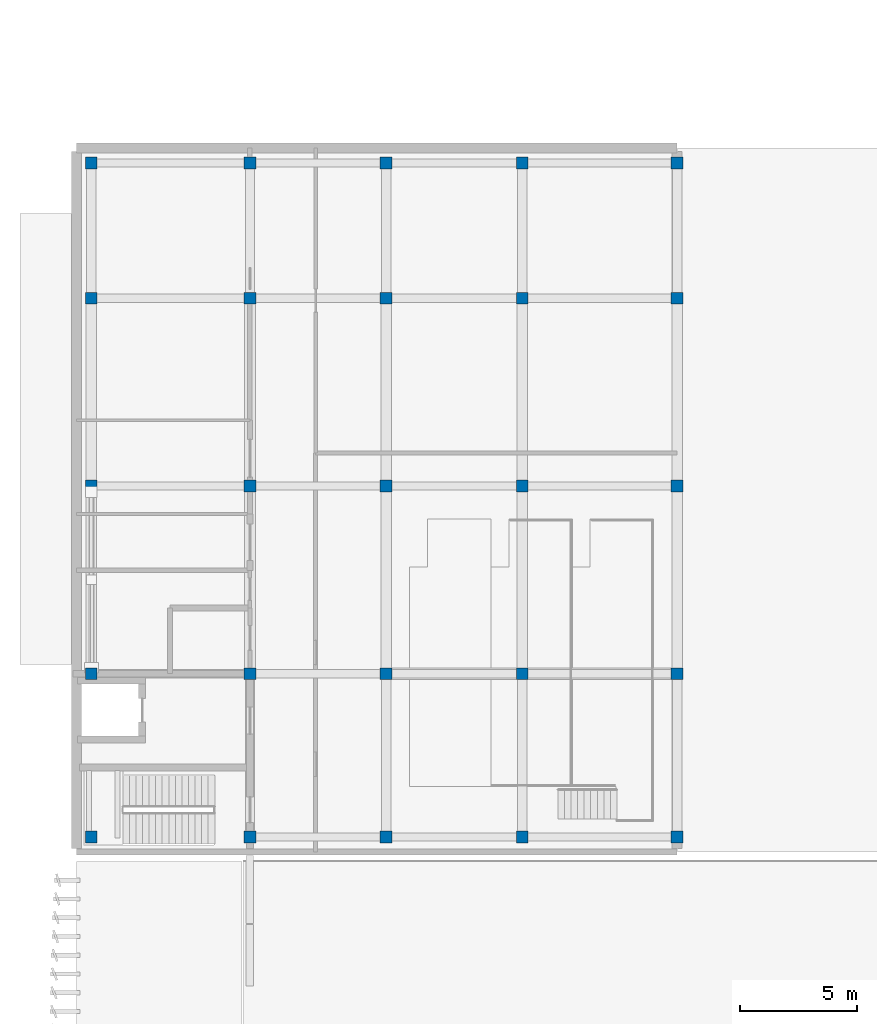
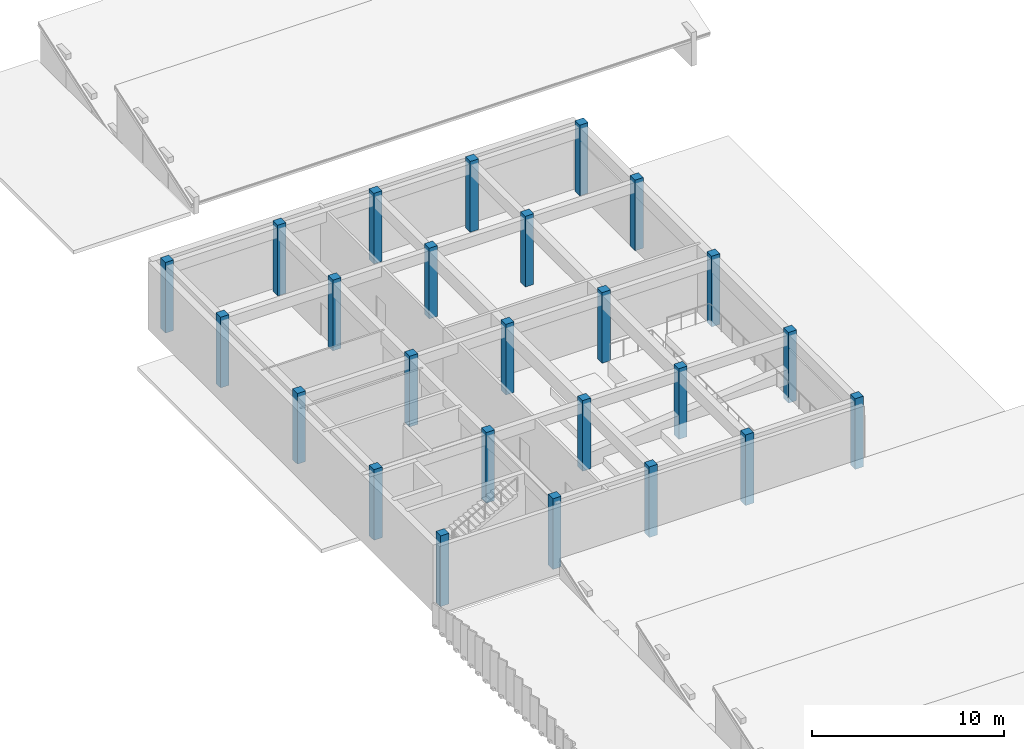
# One storey, part 1 of 45: 25 columns.
"""IFC4 building model written with IfcOpenShell, lengths in metres."""

from ifc_helpers import new_model, si_unit, direction, frame, origin, origin_2d, place, context, subcontext, project, spatial, rectangle, extrude, material, material_profile, profile_set, type_object, element, save


model = new_model("IFC4")

# Units and contexts
model_context = context("Model", 3, precision=1e-05, world=origin(), true_north=direction((0.0, 1.0)))
body_context = subcontext(model_context, "Body", "Model", "MODEL_VIEW")
ifc_project = project(units=[si_unit("LENGTHUNIT", "METRE"), si_unit("AREAUNIT", "SQUARE_METRE"), si_unit("VOLUMEUNIT", "CUBIC_METRE"), si_unit("PLANEANGLEUNIT", "RADIAN"), si_unit("MASSUNIT", "GRAM", prefix="KILO")], contexts=[model_context])

# Site, building, storey
site_placement = place(None, origin())
site = spatial("IfcSite", under=ifc_project, at=site_placement, CompositionType="ELEMENT")
building_placement = place(site_placement, origin())
building = spatial("IfcBuilding", under=site, at=building_placement, Name="Cinchona Park Media Centre", CompositionType="ELEMENT")
storey_placement = place(building_placement, frame((0.0, 0.0, 20.39990234375)))
storey = spatial("IfcBuildingStorey", under=building, at=storey_placement, Name="L04", CompositionType="ELEMENT", Elevation=20.39990234375)

# Columns
ifc_material = material(Name="Concrete C40/50", Category="concrete")
ifc_material_profile = material_profile(ifc_material, rectangle(XDim=0.5, YDim=0.5, at=origin_2d()), Name="RC 500X500")
ifc_profile_set = profile_set([ifc_material_profile], Name="Concrete C40/50")
column_type = type_object("IfcColumnType", Name="COL-C04-RC500X500", PredefinedType="COLUMN", material=ifc_profile_set)
for number, where, z_axis, x_axis, name in (
    (1, (8.639892578125, 64.639892578125, 0.0), (0.0, 0.0, 1.0), (1.0, 0.0, 0.0), "Column C04 L04"),
    (2, (8.639892578125, 71.60009765625, 0.0), (0.0, 0.0, 1.0), (1.0, 0.0, 0.0), "Column C04 L04"),
    (3, (8.639892578125, 79.60009765625, 0.0), (0.0, 0.0, 1.0), (1.0, 0.0, 0.0), "Column C04 L04"),
    (4, (8.639892578125, 87.60009765625, 0.0), (0.0, 0.0, 1.0), (1.0, 0.0, 0.0), "Column C04 L04"),
    (5, (8.639892578125, 93.360107421875, 0.0), (0.0, 0.0, 1.0), (1.0, 0.0, 0.0), "Column C04 L04"),
    (6, (15.39990234375, 64.639892578125, 0.0), (0.0, 0.0, 1.0), (1.0, 0.0, 0.0), "Column C04 L04"),
    (7, (15.39990234375, 71.60009765625, 0.0), (0.0, 0.0, 1.0), (1.0, 0.0, 0.0), "Column C04 L04"),
    (8, (15.39990234375, 79.60009765625, 0.0), (0.0, 0.0, 1.0), (1.0, 0.0, 0.0), "Column C04 L04"),
    (9, (15.39990234375, 87.60009765625, 0.0), (0.0, 0.0, 1.0), (1.0, 0.0, 0.0), "Column C04 L04"),
    (10, (15.39990234375, 93.360107421875, 0.0), (0.0, 0.0, 1.0), (1.0, 0.0, 0.0), "Column C04 L04"),
    (11, (21.199951171875, 64.639892578125, 0.0), (0.0, 0.0, 1.0), (1.0, 0.0, 0.0), "Column C04 L04"),
    (12, (21.199951171875, 71.60009765625, 0.0), (0.0, 0.0, 1.0), (1.0, 0.0, 0.0), "Column C04 L04"),
    (13, (21.199951171875, 79.60009765625, 0.0), (0.0, 0.0, 1.0), (1.0, 0.0, 0.0), "Column C04 L04"),
    (14, (21.199951171875, 87.60009765625, 0.0), (0.0, 0.0, 1.0), (1.0, 0.0, 0.0), "Column C04 L04"),
    (15, (21.199951171875, 93.360107421875, 0.0), (0.0, 0.0, 1.0), (1.0, 0.0, 0.0), "Column C04 L04"),
    (16, (27.0, 64.639892578125, 0.0), (0.0, 0.0, 1.0), (1.0, 0.0, 0.0), "Column C04 L04"),
    (17, (27.0, 71.60009765625, 0.0), (0.0, 0.0, 1.0), (1.0, 0.0, 0.0), "Column C04 L04"),
    (18, (27.0, 79.60009765625, 0.0), (0.0, 0.0, 1.0), (1.0, 0.0, 0.0), "Column C04 L04"),
    (19, (27.0, 87.60009765625, 0.0), (0.0, 0.0, 1.0), (1.0, 0.0, 0.0), "Column C04 L04"),
    (20, (27.0, 93.360107421875, 0.0), (0.0, 0.0, 1.0), (1.0, 0.0, 0.0), "Column C04 L04"),
    (21, (33.60009765625, 64.639892578125, 0.0), (0.0, 0.0, 1.0), (1.0, 0.0, 0.0), "Column C04 L04"),
    (22, (33.60009765625, 71.60009765625, 0.0), (0.0, 0.0, 1.0), (1.0, 0.0, 0.0), "Column C04 L04"),
    (23, (33.60009765625, 79.60009765625, 0.0), (0.0, 0.0, 1.0), (1.0, 0.0, 0.0), "Column C04 L04"),
    (24, (33.60009765625, 87.60009765625, 0.0), (0.0, 0.0, 1.0), (1.0, 0.0, 0.0), "Column C04 L04"),
    (25, (33.60009765625, 93.360107421875, 0.0), (0.0, 0.0, 1.0), (1.0, 0.0, 0.0), "Column C04 L04"),
):
    element("IfcColumn", number, at=place(storey_placement, frame(where, z_axis=z_axis, x_axis=x_axis)), inside=storey, type_object=column_type, Name=name, PredefinedType="COLUMN", context=body_context, shape_type="SweptSolid", body=[
        extrude(rectangle(XDim=0.5, YDim=0.5, at=origin_2d()), origin(), (0.0, 0.0, 1.0), 4.5),
    ])

save(model, "model.ifc")
